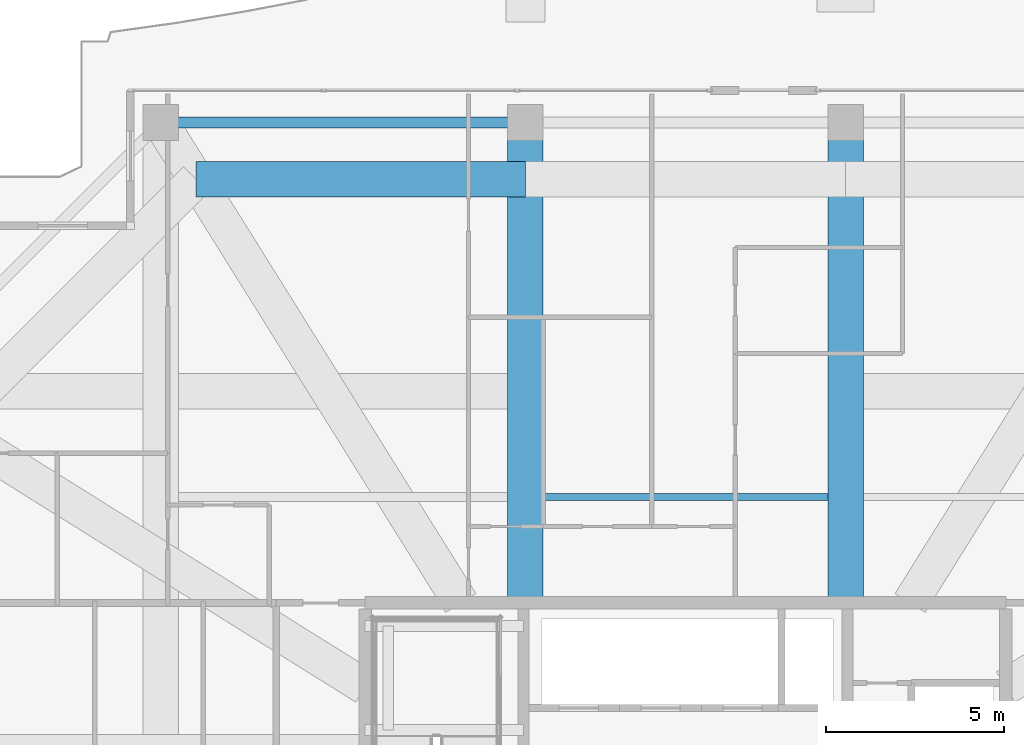
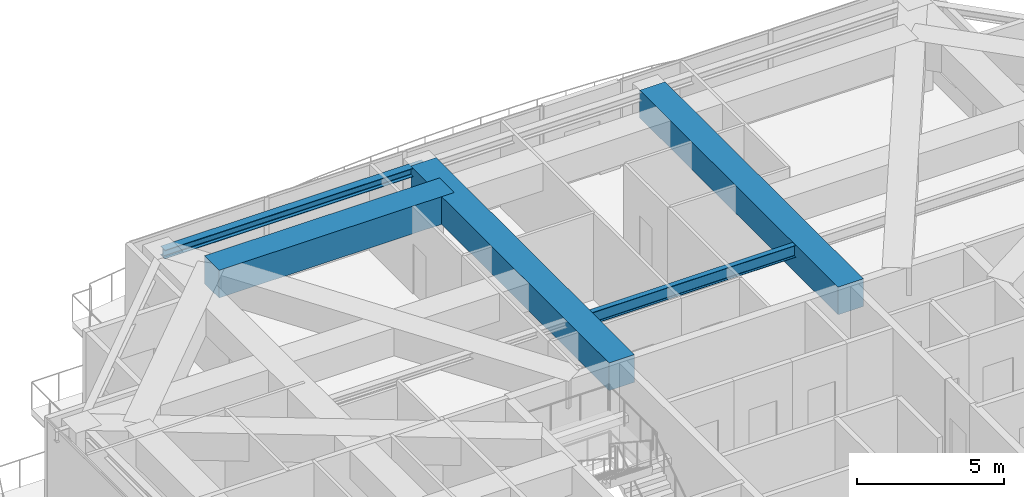
# One storey, part 23 of 40: 5 beams.
"""IFC4 building model written with IfcOpenShell, lengths in metres."""

from ifc_helpers import new_model, si_unit, direction, frame, origin, origin_2d, place, context, subcontext, project, spatial, rectangle, i_section, extrude, source, transform, mapped, material, material_profile, profile_set, type_object, element, save


model = new_model("IFC4")

# Units and contexts
model_context = context("Model", 3, precision=1e-05, world=origin(), true_north=direction((0.0, 1.0)))
body_context = subcontext(model_context, "Body", "Model", "MODEL_VIEW")
ifc_project = project(units=[si_unit("LENGTHUNIT", "METRE"), si_unit("AREAUNIT", "SQUARE_METRE"), si_unit("VOLUMEUNIT", "CUBIC_METRE"), si_unit("PLANEANGLEUNIT", "RADIAN"), si_unit("MASSUNIT", "GRAM", prefix="KILO")], contexts=[model_context])

# Site, building, storey
site_placement = place(None, origin())
site = spatial("IfcSite", under=ifc_project, at=site_placement, CompositionType="ELEMENT")
building_placement = place(site_placement, origin())
building = spatial("IfcBuilding", under=site, at=building_placement, Name="Serunith Strait Residences", CompositionType="ELEMENT")
storey_placement = place(building_placement, frame((0.0, 0.0, 333.949951171875)))
storey = spatial("IfcBuildingStorey", under=building, at=storey_placement, Name="L83", CompositionType="ELEMENT", Elevation=333.949951171875)

# Beams
ifc_material_1 = material(Name="Steel S355J2", Category="steel")
ifc_material_profile_1 = material_profile(ifc_material_1, i_section(OverallWidth=0.199951171875, OverallDepth=0.5, WebThickness=0.01025390625, FlangeThickness=0.01611328125, FilletRadius=0.02099609375, at=origin_2d()), Name="IPE 500")
ifc_profile_set_1 = profile_set([ifc_material_profile_1], Name="Steel S355J2")
beam_type_1 = type_object("IfcBeamType", Name="BM-IPE500", PredefinedType="JOIST", material=ifc_profile_set_1)
shared_shape_1 = source(origin(), body_context, "Body", "SweptSolid", [
    extrude(i_section(OverallWidth=0.199951171875, OverallDepth=0.5, WebThickness=0.01025390625, FlangeThickness=0.01611328125, FilletRadius=0.02099609375, at=origin_2d()), origin(), (0.0, 0.0, 1.0), 8.0),
])
beam_1_placement = place(storey_placement, frame((28.39990234375, 36.574951171875, 3.35693359375), z_axis=(1.0, 0.0, 0.0), x_axis=(0.0, 1.0, 0.0)))
element("IfcBeam", 1, at=beam_1_placement, inside=storey, type_object=beam_type_1, Name="L83 Composite Floor Joist 05", PredefinedType="JOIST", context=body_context, shape_type="MappedRepresentation", body=[
    mapped(shared_shape_1, transform((0.0, 0.0, 0.0), scale=1.0)),
])
ifc_material_profile_2 = material_profile(ifc_material_1, i_section(OverallWidth=0.300048828125, OverallDepth=0.360107421875, WebThickness=0.012451171875, FlangeThickness=0.0224609375, FilletRadius=0.027099609375, at=origin_2d()), Name="HEB 360")
ifc_profile_set_2 = profile_set([ifc_material_profile_2], Name="Steel S355J2")
beam_type_2 = type_object("IfcBeamType", Name="BM-HEB360", PredefinedType="BEAM", material=ifc_profile_set_2)
shared_shape_2 = source(origin(), body_context, "Body", "SweptSolid", [
    extrude(i_section(OverallWidth=0.300048828125, OverallDepth=0.360107421875, WebThickness=0.012451171875, FlangeThickness=0.0224609375, FilletRadius=0.027099609375, at=origin_2d()), origin(), (0.0, 0.0, 1.0), 10.25),
])
beam_2_placement = place(storey_placement, frame((27.89990234375, 47.10009765625, 3.427001953125), z_axis=(-1.0, 0.0, 0.0), x_axis=(0.0, -1.0, 0.0)))
element("IfcBeam", 2, at=beam_2_placement, inside=storey, type_object=beam_type_2, Name="L83 Perimeter Ring Beam 11", PredefinedType="BEAM", context=body_context, shape_type="MappedRepresentation", body=[
    mapped(shared_shape_2, transform((0.0, 0.0, 0.0), scale=1.0)),
])
ifc_material_2 = material(Name="Concrete C80/95", Category="concrete")
ifc_material_profile_3 = material_profile(ifc_material_2, rectangle(XDim=1.0, YDim=1.14990234375, at=origin_2d()), Name="RC 1000x1150")
ifc_profile_set_3 = profile_set([ifc_material_profile_3], Name="Concrete C80/95")
beam_type_3 = type_object("IfcBeamType", Name="BM-XFER-1000x1150", PredefinedType="BEAM", material=ifc_profile_set_3)
shared_shape_3 = source(origin(), body_context, "Body", "SweptSolid", [
    extrude(rectangle(XDim=1.0, YDim=1.14990234375, at=origin_2d()), origin(), (0.0, 0.0, 1.0), 13.5),
])
for number, where, z_axis, x_axis, name in (
    (3, (27.89990234375, 33.60009765625, 3.03515625), (0.0, 1.0, 0.0), (-1.0, 0.0, 0.0), "L83 Primary Floor Girder TC-N2"),
    (4, (36.89990234375, 33.60009765625, 3.03515625), (0.0, 1.0, 0.0), (-1.0, 0.0, 0.0), "L83 Primary Floor Girder TC-N3"),
):
    element("IfcBeam", number, at=place(storey_placement, frame(where, z_axis=z_axis, x_axis=x_axis)), inside=storey, type_object=beam_type_3, Name=name, PredefinedType="BEAM", context=body_context, shape_type="MappedRepresentation", body=[
        mapped(shared_shape_3, transform((0.0, 0.0, 0.0), scale=1.0)),
    ])
shared_shape_4 = source(origin(), body_context, "Body", "SweptSolid", [
    extrude(rectangle(XDim=1.0, YDim=1.14990234375, at=origin_2d()), origin(), (0.0, 0.0, 1.0), 9.25),
])
beam_3_placement = place(storey_placement, frame((27.89990234375, 45.5, 3.03515625), z_axis=(-1.0, 0.0, 0.0), x_axis=(0.0, -1.0, 0.0)))
element("IfcBeam", 5, at=beam_3_placement, inside=storey, type_object=beam_type_3, Name="L83 Flare Upper Ring Transfer Girder 11", PredefinedType="BEAM", context=body_context, shape_type="MappedRepresentation", body=[
    mapped(shared_shape_4, transform((0.0, 0.0, 0.0), scale=1.0)),
])

save(model, "model.ifc")
